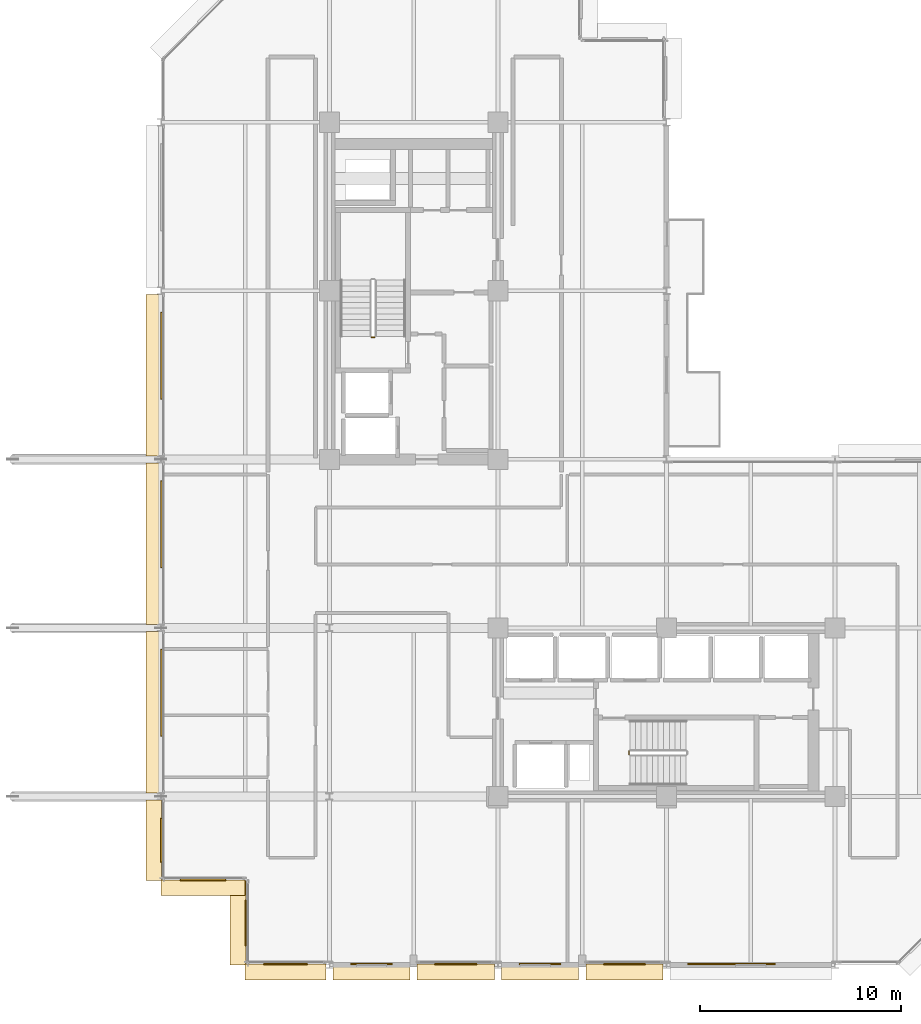
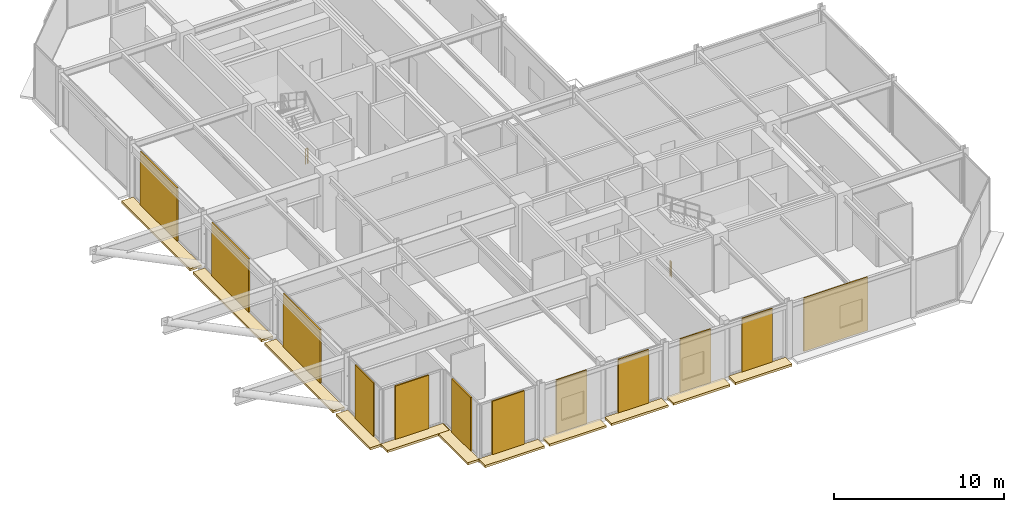
# One storey, part 28 of 30: 23 coverings, 2 railings.
"""IFC4 building model written with IfcOpenShell, lengths in metres."""

from ifc_helpers import new_model, si_unit, direction, frame, origin, origin_2d, place, context, subcontext, project, spatial, polyline, rectangle, circle, outline, extrude, material, layer, layer_set, type_object, element, save


model = new_model("IFC4")

# Units and contexts
model_context = context("Model", 3, precision=1e-05, world=origin(), true_north=direction((0.0, 1.0)))
body_context = subcontext(model_context, "Body", "Model", "MODEL_VIEW")
ifc_project = project(units=[si_unit("LENGTHUNIT", "METRE"), si_unit("AREAUNIT", "SQUARE_METRE"), si_unit("VOLUMEUNIT", "CUBIC_METRE"), si_unit("PLANEANGLEUNIT", "RADIAN"), si_unit("MASSUNIT", "GRAM", prefix="KILO")], contexts=[model_context])

# Site, building, storey
site_placement = place(None, origin())
site = spatial("IfcSite", under=ifc_project, at=site_placement, CompositionType="ELEMENT")
building_placement = place(site_placement, origin())
building = spatial("IfcBuilding", under=site, at=building_placement, Name="Nerrivon Quay Data Exchange", CompositionType="ELEMENT")
storey_placement = place(building_placement, frame((0.0, 0.0, 167.300048828125)))
storey = spatial("IfcBuildingStorey", under=building, at=storey_placement, Name="L39", CompositionType="ELEMENT", Elevation=167.300048828125)

# Coverings
ifc_material_1 = material(Name="Architectural terracotta ceramic", Category="masonry")
ifc_layer_1 = layer(ifc_material_1, 0.159912109375)
ifc_layer_set_1 = layer_set([ifc_layer_1], Name="Architectural terracotta ceramic")
covering_type_1 = type_object("IfcCoveringType", Name="COV-BLD-TERR", PredefinedType="CLADDING", material=ifc_layer_set_1)
covering_1_placement = place(storey_placement, frame((0.0, 0.0, -0.16015625)))
element("IfcCovering", 1, at=covering_1_placement, inside=storey, type_object=covering_type_1, Name="L39 Horizontal Terracotta SOLAR SCREEN Blade", PredefinedType="CLADDING", context=body_context, shape_type="SweptSolid", body=[
    extrude(outline(polyline([(25.02490234375, 0.0400390625), (21.175048828125, 0.0400390625), (21.175048828125, -0.75), (25.02490234375, -0.75), (25.02490234375, 0.0400390625)])), origin(), (0.0, 0.0, 1.0), 0.16015625),
])
covering_2_placement = place(storey_placement, frame((0.0, 0.0, -0.16015625)))
element("IfcCovering", 2, at=covering_2_placement, inside=storey, type_object=covering_type_1, Name="L39 Horizontal Terracotta SOLAR SCREEN Blade", PredefinedType="CLADDING", context=body_context, shape_type="SweptSolid", body=[
    extrude(outline(polyline([(20.824951171875, 0.0400390625), (16.97509765625, 0.0400390625), (16.97509765625, -0.75), (20.824951171875, -0.75), (20.824951171875, 0.0400390625)])), origin(), (0.0, 0.0, 1.0), 0.16015625),
])
covering_3_placement = place(storey_placement, frame((0.0, 0.0, -0.16015625)))
element("IfcCovering", 3, at=covering_3_placement, inside=storey, type_object=covering_type_1, Name="L39 Horizontal Terracotta SOLAR SCREEN Blade", PredefinedType="CLADDING", context=body_context, shape_type="SweptSolid", body=[
    extrude(outline(polyline([(16.625, 0.0400390625), (12.77490234375, 0.0400390625), (12.77490234375, -0.75), (16.625, -0.75), (16.625, 0.0400390625)])), origin(), (0.0, 0.0, 1.0), 0.16015625),
])
covering_4_placement = place(storey_placement, frame((0.0, 0.0, -0.16015625)))
element("IfcCovering", 4, at=covering_4_placement, inside=storey, type_object=covering_type_1, Name="L39 Horizontal Terracotta SOLAR SCREEN Blade", PredefinedType="CLADDING", context=body_context, shape_type="SweptSolid", body=[
    extrude(outline(polyline([(12.425048828125, 0.0400390625), (8.574951171875, 0.0400390625), (8.574951171875, -0.75), (12.425048828125, -0.75), (12.425048828125, 0.0400390625)])), origin(), (0.0, 0.0, 1.0), 0.16015625),
])
covering_5_placement = place(storey_placement, frame((0.0, 0.0, -0.16015625)))
element("IfcCovering", 5, at=covering_5_placement, inside=storey, type_object=covering_type_1, Name="L39 Horizontal Terracotta SOLAR SCREEN Blade", PredefinedType="CLADDING", context=body_context, shape_type="SweptSolid", body=[
    extrude(outline(polyline([(8.22509765625, 0.0400390625), (4.199951171875, 0.0400390625), (4.199951171875, -0.75), (8.22509765625, -0.75), (8.22509765625, 0.0400390625)])), origin(), (0.0, 0.0, 1.0), 0.16015625),
])
covering_6_placement = place(storey_placement, frame((0.0, 0.0, -0.16015625)))
element("IfcCovering", 6, at=covering_6_placement, inside=storey, type_object=covering_type_1, Name="L39 Horizontal Terracotta SOLAR SCREEN Blade", PredefinedType="CLADDING", context=body_context, shape_type="SweptSolid", body=[
    extrude(outline(polyline([(4.239990234375, 0.0), (4.239990234375, 4.199951171875), (3.449951171875, 4.199951171875), (3.449951171875, 0.0), (4.239990234375, 0.0)])), origin(), (0.0, 0.0, 1.0), 0.16015625),
])
covering_7_placement = place(storey_placement, frame((0.0, 0.0, -0.16015625)))
element("IfcCovering", 7, at=covering_7_placement, inside=storey, type_object=covering_type_1, Name="L39 Horizontal Terracotta SOLAR SCREEN Blade", PredefinedType="CLADDING", context=body_context, shape_type="SweptSolid", body=[
    extrude(outline(polyline([(4.199951171875, 4.239990234375), (0.0, 4.239990234375), (0.0, 3.449951171875), (4.199951171875, 3.449951171875), (4.199951171875, 4.239990234375)])), origin(), (0.0, 0.0, 1.0), 0.16015625),
])
covering_8_placement = place(storey_placement, frame((0.0, 0.0, -0.16015625)))
element("IfcCovering", 8, at=covering_8_placement, inside=storey, type_object=covering_type_1, Name="L39 Horizontal Terracotta SOLAR SCREEN Blade", PredefinedType="CLADDING", context=body_context, shape_type="SweptSolid", body=[
    extrude(outline(polyline([(0.0400390625, 4.199951171875), (0.0400390625, 8.22509765625), (-0.75, 8.22509765625), (-0.75, 4.199951171875), (0.0400390625, 4.199951171875)])), origin(), (0.0, 0.0, 1.0), 0.16015625),
])
covering_9_placement = place(storey_placement, frame((0.0, 0.0, -0.16015625)))
element("IfcCovering", 9, at=covering_9_placement, inside=storey, type_object=covering_type_1, Name="L39 Horizontal Terracotta SOLAR SCREEN Blade", PredefinedType="CLADDING", context=body_context, shape_type="SweptSolid", body=[
    extrude(outline(polyline([(0.0400390625, 8.574951171875), (0.0400390625, 16.625), (-0.75, 16.625), (-0.75, 8.574951171875), (0.0400390625, 8.574951171875)])), origin(), (0.0, 0.0, 1.0), 0.16015625),
])
covering_10_placement = place(storey_placement, frame((0.0, 0.0, -0.16015625)))
element("IfcCovering", 10, at=covering_10_placement, inside=storey, type_object=covering_type_1, Name="L39 Horizontal Terracotta SOLAR SCREEN Blade", PredefinedType="CLADDING", context=body_context, shape_type="SweptSolid", body=[
    extrude(outline(polyline([(0.0400390625, 16.97509765625), (0.0400390625, 25.02490234375), (-0.75, 25.02490234375), (-0.75, 16.97509765625), (0.0400390625, 16.97509765625)])), origin(), (0.0, 0.0, 1.0), 0.16015625),
])
covering_11_placement = place(storey_placement, frame((0.0, 0.0, -0.16015625)))
element("IfcCovering", 11, at=covering_11_placement, inside=storey, type_object=covering_type_1, Name="L39 Horizontal Terracotta SOLAR SCREEN Blade", PredefinedType="CLADDING", context=body_context, shape_type="SweptSolid", body=[
    extrude(outline(polyline([(0.0400390625, 25.375), (0.0400390625, 33.425048828125), (-0.75, 33.425048828125), (-0.75, 25.375), (0.0400390625, 25.375)])), origin(), (0.0, 0.0, 1.0), 0.16015625),
])
ifc_layer_2 = layer(ifc_material_1, 0.090087890625)
ifc_layer_set_2 = layer_set([ifc_layer_2], Name="Architectural terracotta ceramic")
covering_type_2 = type_object("IfcCoveringType", Name="COV-SCR-TERR", PredefinedType="CLADDING", material=ifc_layer_set_2)
covering_12_placement = place(storey_placement, frame((28.43408203125, 0.044921875, 0.0), z_axis=(0.0, 0.0, 1.0), x_axis=(-1.0, 0.0, 0.0)))
element("IfcCovering", 12, at=covering_12_placement, inside=storey, type_object=covering_type_2, Name="L39 Perforated Terracotta SOLAR SCREEN Cassette", PredefinedType="CLADDING", context=body_context, shape_type="SweptSolid", body=[
    extrude(rectangle(XDim=4.346923828125, YDim=0.090087890625, at=origin_2d()), origin(), (0.0, 0.0, 1.0), 3.824951171875),
])
for number, where, z_axis, x_axis, name in (
    (13, (23.10009765625, 0.044921875, 0.0), (0.0, 0.0, 1.0), (-1.0, 0.0, 0.0), "L39 Perforated Terracotta SOLAR SCREEN Cassette"),
    (14, (18.89990234375, 0.044921875, 0.0), (0.0, 0.0, 1.0), (-1.0, 0.0, 0.0), "L39 Perforated Terracotta SOLAR SCREEN Cassette"),
    (15, (14.699951171875, 0.044921875, 0.0), (0.0, 0.0, 1.0), (-1.0, 0.0, 0.0), "L39 Perforated Terracotta SOLAR SCREEN Cassette"),
    (16, (10.5, 0.044921875, 0.0), (0.0, 0.0, 1.0), (-1.0, 0.0, 0.0), "L39 Perforated Terracotta SOLAR SCREEN Cassette"),
):
    element("IfcCovering", number, at=place(storey_placement, frame(where, z_axis=z_axis, x_axis=x_axis)), inside=storey, type_object=covering_type_2, Name=name, PredefinedType="CLADDING", context=body_context, shape_type="SweptSolid", body=[
        extrude(rectangle(XDim=2.0791015625, YDim=0.090087890625, at=origin_2d()), origin(), (0.0, 0.0, 1.0), 3.824951171875),
    ])
covering_13_placement = place(storey_placement, frame((6.21240234375, 0.044921875, 0.0), z_axis=(0.0, 0.0, 1.0), x_axis=(-1.0, 0.0, 0.0)))
element("IfcCovering", 17, at=covering_13_placement, inside=storey, type_object=covering_type_2, Name="L39 Perforated Terracotta SOLAR SCREEN Cassette", PredefinedType="CLADDING", context=body_context, shape_type="SweptSolid", body=[
    extrude(rectangle(XDim=2.173095703125, YDim=0.090087890625, at=origin_2d()), origin(), (0.0, 0.0, 1.0), 3.824951171875),
])
for number, where, z_axis, x_axis, name in (
    (18, (4.2451171875, 2.10009765625, 0.0), (0.0, 0.0, 1.0), (0.0, 1.0, 0.0), "L39 Perforated Terracotta SOLAR SCREEN Cassette"),
    (19, (2.10009765625, 4.2451171875, 0.0), (0.0, 0.0, 1.0), (-1.0, 0.0, 0.0), "L39 Perforated Terracotta SOLAR SCREEN Cassette"),
):
    element("IfcCovering", number, at=place(storey_placement, frame(where, z_axis=z_axis, x_axis=x_axis)), inside=storey, type_object=covering_type_2, Name=name, PredefinedType="CLADDING", context=body_context, shape_type="SweptSolid", body=[
        extrude(rectangle(XDim=2.26806640625, YDim=0.090087890625, at=origin_2d()), origin(), (0.0, 0.0, 1.0), 3.824951171875),
    ])
covering_14_placement = place(storey_placement, frame((0.044921875, 6.21240234375, 0.0), z_axis=(0.0, 0.0, 1.0), x_axis=(0.0, 1.0, 0.0)))
element("IfcCovering", 20, at=covering_14_placement, inside=storey, type_object=covering_type_2, Name="L39 Perforated Terracotta SOLAR SCREEN Cassette", PredefinedType="CLADDING", context=body_context, shape_type="SweptSolid", body=[
    extrude(rectangle(XDim=2.173095703125, YDim=0.090087890625, at=origin_2d()), origin(), (0.0, 0.0, 1.0), 3.824951171875),
])
for number, where, z_axis, x_axis, name in (
    (21, (0.044921875, 13.56591796875, 0.0), (0.0, 0.0, 1.0), (0.0, 1.0, 0.0), "L39 Perforated Terracotta SOLAR SCREEN Cassette"),
    (22, (0.044921875, 21.966064453125, 0.0), (0.0, 0.0, 1.0), (0.0, 1.0, 0.0), "L39 Perforated Terracotta SOLAR SCREEN Cassette"),
    (23, (0.044921875, 30.365966796875, 0.0), (0.0, 0.0, 1.0), (0.0, 1.0, 0.0), "L39 Perforated Terracotta SOLAR SCREEN Cassette"),
):
    element("IfcCovering", number, at=place(storey_placement, frame(where, z_axis=z_axis, x_axis=x_axis)), inside=storey, type_object=covering_type_2, Name=name, PredefinedType="CLADDING", context=body_context, shape_type="SweptSolid", body=[
        extrude(rectangle(XDim=4.346923828125, YDim=0.090087890625, at=origin_2d()), origin(), (0.0, 0.0, 1.0), 3.824951171875),
    ])

# Railings
ifc_material_2 = material(Name="Steel Grade C350L0 (350 MPa)", Category="steel")
railing_type = type_object("IfcRailingType", Name="RAIL-STAIR-GR1", PredefinedType="BALUSTRADE", material=ifc_material_2)
railing_1_placement = place(storey_placement, frame((10.64990234375, 31.280029296875, 0.0)))
element("IfcRailing", 24, at=railing_1_placement, inside=storey, type_object=railing_type, Name="L39 ST01 stair guard 4", PredefinedType="BALUSTRADE", context=body_context, shape_type="SweptSolid", body=[
    extrude(circle(Radius=0.02392578125, at=origin_2d()), frame((0.0, 0.0, 1.076171875), z_axis=(-1.0, 0.0, 0.0), x_axis=(0.0, -1.0, 0.0)), (0.0, 0.0, 1.0), 0.14990234375),
    extrude(circle(Radius=0.02392578125, at=origin_2d()), frame((0.0, 0.0, 0.550048828125), z_axis=(-1.0, 0.0, 0.0), x_axis=(0.0, -1.0, 0.0)), (0.0, 0.0, 1.0), 0.14990234375),
    extrude(circle(Radius=0.02099609375, at=origin_2d()), origin(), (0.0, 0.0, 1.0), 1.052001953125),
    extrude(circle(Radius=0.02099609375, at=origin_2d()), frame((-0.14990234375, 0.0, 0.0)), (0.0, 0.0, 1.0), 1.052001953125),
])
railing_2_placement = place(storey_placement, frame((23.330078125, 10.5, 0.0)))
element("IfcRailing", 25, at=railing_2_placement, inside=storey, type_object=railing_type, Name="L39 ST02 stair guard 4", PredefinedType="BALUSTRADE", context=body_context, shape_type="SweptSolid", body=[
    extrude(circle(Radius=0.02392578125, at=origin_2d()), frame((0.0, 0.0, 1.076171875), z_axis=(0.0, 1.0, 0.0), x_axis=(-1.0, 0.0, 0.0)), (0.0, 0.0, 1.0), 0.14990234375),
    extrude(circle(Radius=0.02392578125, at=origin_2d()), frame((0.0, 0.0, 0.550048828125), z_axis=(0.0, 1.0, 0.0), x_axis=(-1.0, 0.0, 0.0)), (0.0, 0.0, 1.0), 0.14990234375),
    extrude(circle(Radius=0.02099609375, at=origin_2d()), origin(), (0.0, 0.0, 1.0), 1.052001953125),
    extrude(circle(Radius=0.02099609375, at=origin_2d()), frame((0.0, 0.14990234375, 0.0)), (0.0, 0.0, 1.0), 1.052001953125),
])

save(model, "model.ifc")
